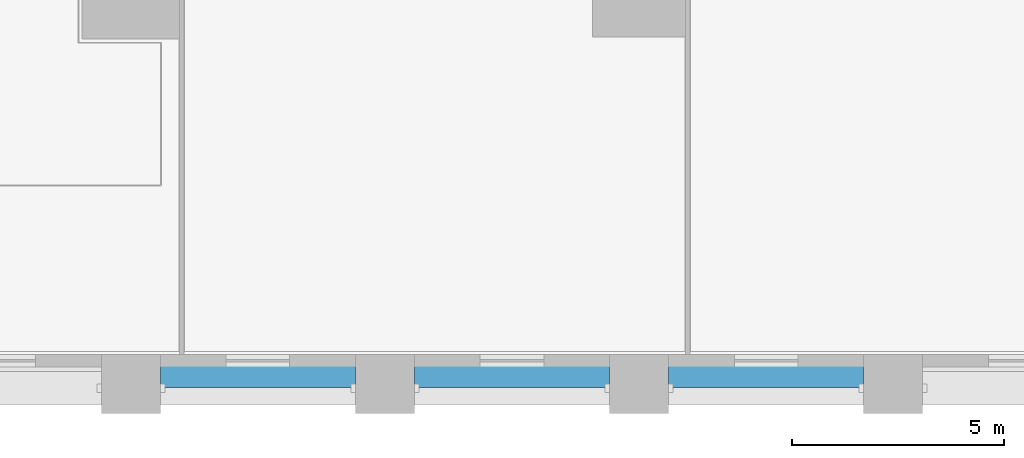
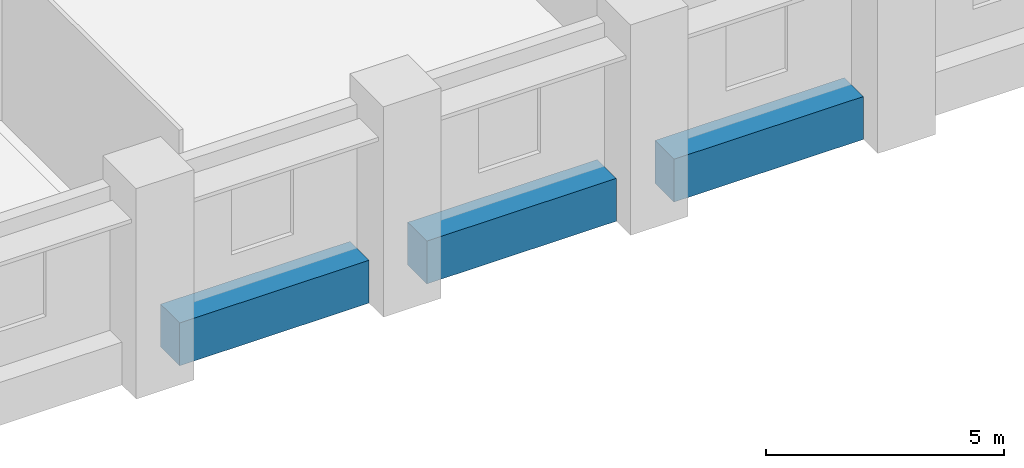
# One storey, part 3 of 17: 3 beams.
"""IFC4 building model written with IfcOpenShell, lengths in metres."""

from ifc_helpers import new_model, si_unit, direction, frame, origin, origin_2d, place, context, subcontext, project, spatial, rectangle, extrude, material, material_profile, profile_set, type_object, element, save


model = new_model("IFC4")

# Units and contexts
model_context = context("Model", 3, precision=1e-05, world=origin(), true_north=direction((0.0, 1.0)))
body_context = subcontext(model_context, "Body", "Model", "MODEL_VIEW")
ifc_project = project(units=[si_unit("LENGTHUNIT", "METRE"), si_unit("AREAUNIT", "SQUARE_METRE"), si_unit("VOLUMEUNIT", "CUBIC_METRE"), si_unit("PLANEANGLEUNIT", "RADIAN"), si_unit("MASSUNIT", "GRAM", prefix="KILO")], contexts=[model_context])

# Site, building, storey
site_placement = place(None, origin())
site = spatial("IfcSite", under=ifc_project, at=site_placement, CompositionType="ELEMENT")
building_placement = place(site_placement, origin())
building = spatial("IfcBuilding", under=site, at=building_placement, Name="Calvaro Tower", CompositionType="ELEMENT")
storey_placement = place(building_placement, frame((0.0, 0.0, 6.5)))
storey = spatial("IfcBuildingStorey", under=building, at=storey_placement, Name="L01", CompositionType="ELEMENT", Elevation=6.5)

# Beams
ifc_material = material(Name="Concrete C50/60 precast", Category="concrete")
ifc_material_profile = material_profile(ifc_material, rectangle(XDim=0.800048828125, YDim=1.10009765625, at=origin_2d()), Name="RC 800x1100")
ifc_profile_set = profile_set([ifc_material_profile], Name="Concrete C50/60 precast")
beam_type = type_object("IfcBeamType", Name="Spandrel beam 800x1100 C50/60", PredefinedType="SPANDREL", material=ifc_profile_set)
for number, where, z_axis, x_axis, name in (
    (1, (48.699951171875, 1.0, -0.550048828125), (1.0, 0.0, 0.0), (0.0, 1.0, 0.0), "Spandrel beam"),
    (2, (54.699951171875, 1.0, -0.550048828125), (1.0, 0.0, 0.0), (0.0, 1.0, 0.0), "Spandrel beam"),
    (3, (60.699951171875, 1.0, -0.550048828125), (1.0, 0.0, 0.0), (0.0, 1.0, 0.0), "Spandrel beam"),
):
    element("IfcBeam", number, at=place(storey_placement, frame(where, z_axis=z_axis, x_axis=x_axis)), inside=storey, type_object=beam_type, Name=name, PredefinedType="SPANDREL", context=body_context, shape_type="SweptSolid", body=[
        extrude(rectangle(XDim=0.800048828125, YDim=1.10009765625, at=origin_2d()), origin(), (0.0, 0.0, 1.0), 4.60009765625),
    ])

save(model, "model.ifc")
